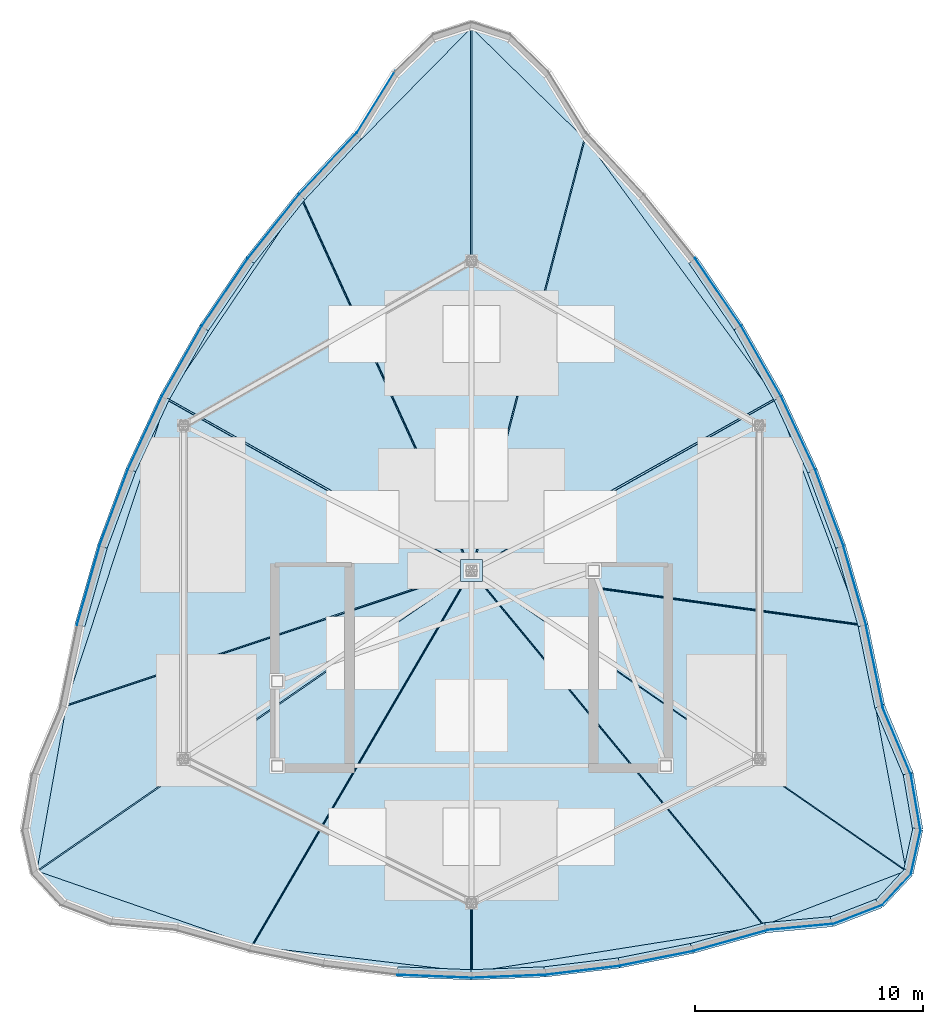
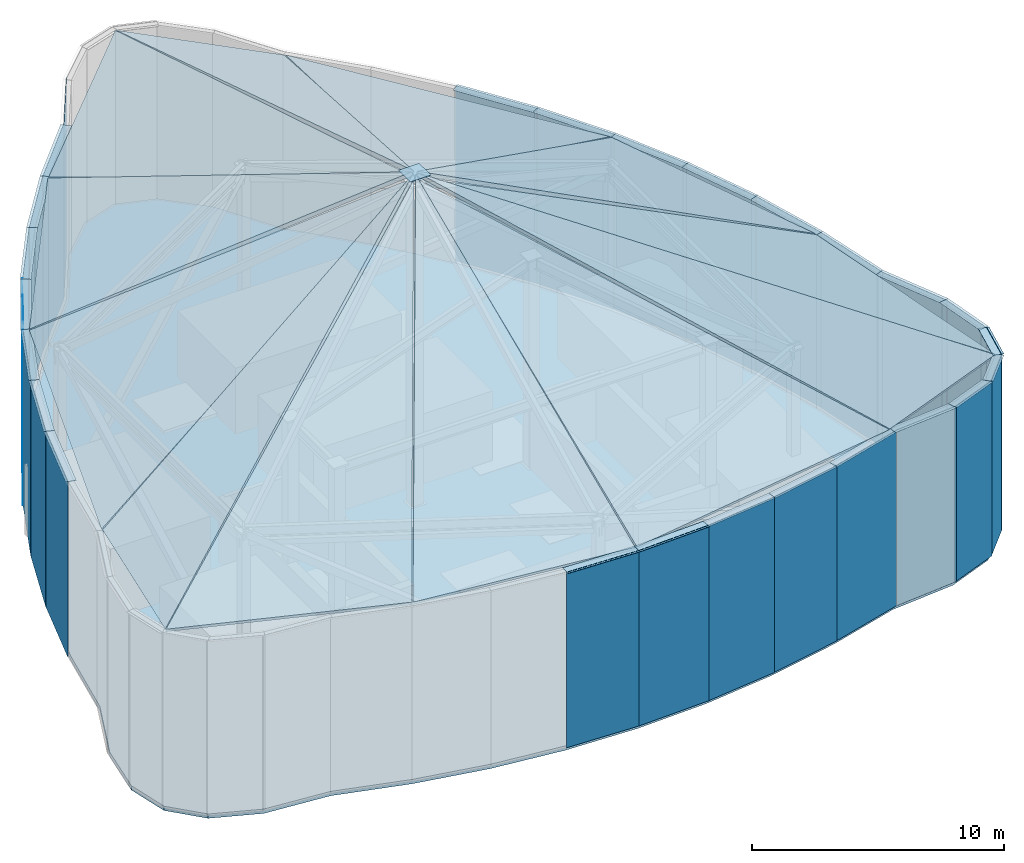
# One storey, part 2 of 6: 50 plates, 13 slabs.
"""IFC4 building model written with IfcOpenShell, lengths in metres."""

from ifc_helpers import new_model, si_unit, direction, frame, origin, origin_2d, place, context, subcontext, project, spatial, polyline, rectangle, outline, extrude, material, layer, layer_set, type_object, element, save


model = new_model("IFC4")

# Units and contexts
model_context = context("Model", 3, precision=1e-05, world=origin(), true_north=direction((0.0, 1.0)))
body_context = subcontext(model_context, "Body", "Model", "MODEL_VIEW")
ifc_project = project(units=[si_unit("LENGTHUNIT", "METRE"), si_unit("AREAUNIT", "SQUARE_METRE"), si_unit("VOLUMEUNIT", "CUBIC_METRE"), si_unit("PLANEANGLEUNIT", "RADIAN"), si_unit("MASSUNIT", "GRAM", prefix="KILO")], contexts=[model_context])

# Site, building, storey
site_placement = place(None, origin())
site = spatial("IfcSite", under=ifc_project, at=site_placement, CompositionType="ELEMENT")
building_placement = place(site_placement, origin())
building = spatial("IfcBuilding", under=site, at=building_placement, Name="Miruveldt Soraemaru", CompositionType="ELEMENT")
storey_placement = place(building_placement, frame((0.0, 0.0, 318.0)))
storey = spatial("IfcBuildingStorey", under=building, at=storey_placement, Name="RF", CompositionType="ELEMENT", Elevation=318.0)

# Plates
ifc_material_1 = material(Name="Anodised aluminium EN AW-6063 T6", Category="aluminium")
ifc_layer_1 = layer(ifc_material_1, 0.01611328125, Name="Anodised aluminium EN AW-6063 T6", Category="aluminium")
ifc_layer_set_1 = layer_set([ifc_layer_1], Name="Anodised aluminium EN AW-6063 T6")
plate_type_1 = type_object("IfcPlateType", Name="PLT-SCREEN-16", PredefinedType="USERDEFINED", material=ifc_layer_set_1)
plate_1_placement = place(storey_placement, frame((39.81591796875, 64.558349609375, 0.0), z_axis=(0.0, 0.0, 1.0), x_axis=(-0.526095186954, -0.850425690031, 0.0)))
element("IfcPlate", 1, at=plate_1_placement, inside=storey, type_object=plate_type_1, Name="RF Crown Perforated Metal SCREEN Panel 6", ObjectType="SCREEN", PredefinedType="USERDEFINED", context=body_context, shape_type="SweptSolid", body=[
    extrude(rectangle(XDim=3.21240234375, YDim=0.01611328125, at=origin_2d()), origin(), (0.0, 0.0, 1.0), 8.5),
])
plate_2_placement = place(storey_placement, frame((37.72509765625, 61.872802734375, 0.0), z_axis=(0.0, 0.0, 1.0), x_axis=(-0.680874277454, -0.732400312877, 0.0)))
element("IfcPlate", 2, at=plate_2_placement, inside=storey, type_object=plate_type_1, Name="RF Crown Perforated Metal SCREEN Panel 7", ObjectType="SCREEN", PredefinedType="USERDEFINED", context=body_context, shape_type="SweptSolid", body=[
    extrude(rectangle(XDim=3.69921875, YDim=0.01611328125, at=origin_2d()), origin(), (0.0, 0.0, 1.0), 8.5),
])
plate_3_placement = place(storey_placement, frame((35.3447265625, 59.126708984375, 0.0), z_axis=(0.0, 0.0, 1.0), x_axis=(-0.623606756598, -0.781738199863, 0.0)))
element("IfcPlate", 3, at=plate_3_placement, inside=storey, type_object=plate_type_1, Name="RF Crown Perforated Metal SCREEN Panel 8", ObjectType="SCREEN", PredefinedType="USERDEFINED", context=body_context, shape_type="SweptSolid", body=[
    extrude(rectangle(XDim=3.6337890625, YDim=0.01611328125, at=origin_2d()), origin(), (0.0, 0.0, 1.0), 8.5),
])
plate_4_placement = place(storey_placement, frame((33.214111328125, 56.246826171875, 0.0), z_axis=(0.0, 0.0, 1.0), x_axis=(-0.560855761037, -0.827913531301, 0.0)))
element("IfcPlate", 4, at=plate_4_placement, inside=storey, type_object=plate_type_1, Name="RF Crown Perforated Metal SCREEN Panel 9", ObjectType="SCREEN", PredefinedType="USERDEFINED", context=body_context, shape_type="SweptSolid", body=[
    extrude(rectangle(XDim=3.58935546875, YDim=0.01611328125, at=origin_2d()), origin(), (0.0, 0.0, 1.0), 8.5),
])
for number, where, z_axis, x_axis, name in (
    (5, (31.3349609375, 53.23291015625, 0.0), (0.0, 0.0, 1.0), (-0.493365087117, -0.869822332902, 0.0), "RF Crown Perforated Metal SCREEN Panel 10"),
    (6, (29.709716796875, 50.0849609375, 0.0), (0.0, 0.0, 1.0), (-0.422301874901, -0.906455253421, 0.0), "RF Crown Perforated Metal SCREEN Panel 11"),
):
    element("IfcPlate", number, at=place(storey_placement, frame(where, z_axis=z_axis, x_axis=x_axis)), inside=storey, type_object=plate_type_1, Name=name, ObjectType="SCREEN", PredefinedType="USERDEFINED", context=body_context, shape_type="SweptSolid", body=[
        extrude(rectangle(XDim=3.56689453125, YDim=0.01611328125, at=origin_2d()), origin(), (0.0, 0.0, 1.0), 8.5),
    ])
plate_5_placement = place(storey_placement, frame((28.33984375, 46.805419921875, 0.0), z_axis=(0.0, 0.0, 1.0), x_axis=(-0.349030048069, -0.93711153314, 0.0)))
element("IfcPlate", 7, at=plate_5_placement, inside=storey, type_object=plate_type_1, Name="RF Crown Perforated Metal SCREEN Panel 12", ObjectType="SCREEN", PredefinedType="USERDEFINED", context=body_context, shape_type="SweptSolid", body=[
    extrude(rectangle(XDim=3.58935546875, YDim=0.01611328125, at=origin_2d()), origin(), (0.0, 0.0, 1.0), 8.5),
])
plate_6_placement = place(storey_placement, frame((27.226318359375, 43.396728515625, 0.0), z_axis=(0.0, 0.0, 1.0), x_axis=(-0.274966201438, -0.961453892845, 0.0)))
element("IfcPlate", 8, at=plate_6_placement, inside=storey, type_object=plate_type_1, Name="RF Crown Perforated Metal SCREEN Panel 13", ObjectType="SCREEN", PredefinedType="USERDEFINED", context=body_context, shape_type="SweptSolid", body=[
    extrude(rectangle(XDim=3.633544921875, YDim=0.01611328125, at=origin_2d()), origin(), (0.0, 0.0, 1.0), 8.5),
])
for number, where, z_axis, x_axis, name in (
    (9, (42.37744140625, 26.2900390625, 0.0), (0.0, 0.0, 1.0), (0.999201384215, -0.039957399602, 0.0), "RF Crown Perforated Metal SCREEN Panel 24"),
    (10, (45.62255859375, 26.2900390625, 0.0), (0.0, 0.0, 1.0), (0.999201384215, 0.039957399602, 0.0), "RF Crown Perforated Metal SCREEN Panel 25"),
):
    element("IfcPlate", number, at=place(storey_placement, frame(where, z_axis=z_axis, x_axis=x_axis)), inside=storey, type_object=plate_type_1, Name=name, ObjectType="SCREEN", PredefinedType="USERDEFINED", context=body_context, shape_type="SweptSolid", body=[
        extrude(rectangle(XDim=3.27294921875, YDim=0.01611328125, at=origin_2d()), origin(), (0.0, 0.0, 1.0), 8.5),
    ])
plate_7_placement = place(storey_placement, frame((48.866943359375, 26.55224609375, 0.0), z_axis=(0.0, 0.0, 1.0), x_axis=(0.9928742876, 0.119166476087, 0.0)))
element("IfcPlate", 11, at=plate_7_placement, inside=storey, type_object=plate_type_1, Name="RF Crown Perforated Metal SCREEN Panel 26", ObjectType="SCREEN", PredefinedType="USERDEFINED", context=body_context, shape_type="SweptSolid", body=[
    extrude(rectangle(XDim=3.293212890625, YDim=0.01611328125, at=origin_2d()), origin(), (0.0, 0.0, 1.0), 8.5),
])
plate_8_placement = place(storey_placement, frame((52.109130859375, 27.076171875, 0.0), z_axis=(0.0, 0.0, 1.0), x_axis=(0.980583867301, 0.196100176415, 0.0)))
element("IfcPlate", 12, at=plate_8_placement, inside=storey, type_object=plate_type_1, Name="RF Crown Perforated Metal SCREEN Panel 27", ObjectType="SCREEN", PredefinedType="USERDEFINED", context=body_context, shape_type="SweptSolid", body=[
    extrude(rectangle(XDim=3.333984375, YDim=0.01611328125, at=origin_2d()), origin(), (0.0, 0.0, 1.0), 8.5),
])
plate_9_placement = place(storey_placement, frame((55.348388671875, 27.860595703125, 0.0), z_axis=(0.0, 0.0, 1.0), x_axis=(0.962960473511, 0.26964259021, 0.0)))
element("IfcPlate", 13, at=plate_9_placement, inside=storey, type_object=plate_type_1, Name="RF Crown Perforated Metal SCREEN Panel 28", ObjectType="SCREEN", PredefinedType="USERDEFINED", context=body_context, shape_type="SweptSolid", body=[
    extrude(rectangle(XDim=3.394287109375, YDim=0.01611328125, at=origin_2d()), origin(), (0.0, 0.0, 1.0), 8.5),
])
plate_10_placement = place(storey_placement, frame((58.427734375, 28.45751953125, 0.0), z_axis=(0.0, 0.0, 1.0), x_axis=(0.995761697887, 0.091970870503, 0.0)))
element("IfcPlate", 14, at=plate_10_placement, inside=storey, type_object=plate_type_1, Name="RF Crown Perforated Metal SCREEN Panel 29", ObjectType="SCREEN", PredefinedType="USERDEFINED", context=body_context, shape_type="SweptSolid", body=[
    extrude(rectangle(XDim=2.973876953125, YDim=0.01611328125, at=origin_2d()), origin(), (0.0, 0.0, 1.0), 8.5),
])
plate_11_placement = place(storey_placement, frame((60.931884765625, 29.0048828125, 0.0), z_axis=(0.0, 0.0, 1.0), x_axis=(0.932279613482, 0.361738472223, 0.0)))
element("IfcPlate", 15, at=plate_11_placement, inside=storey, type_object=plate_type_1, Name="RF Crown Perforated Metal SCREEN Panel 30", ObjectType="SCREEN", PredefinedType="USERDEFINED", context=body_context, shape_type="SweptSolid", body=[
    extrude(rectangle(XDim=2.28076171875, YDim=0.01611328125, at=origin_2d()), origin(), (0.0, 0.0, 1.0), 8.5),
])
plate_12_placement = place(storey_placement, frame((62.602294921875, 30.08935546875, 0.0), z_axis=(0.0, 0.0, 1.0), x_axis=(0.68017091003, 0.733053567721, 0.0)))
element("IfcPlate", 16, at=plate_12_placement, inside=storey, type_object=plate_type_1, Name="RF Crown Perforated Metal SCREEN Panel 31", ObjectType="SCREEN", PredefinedType="USERDEFINED", context=body_context, shape_type="SweptSolid", body=[
    extrude(rectangle(XDim=1.884521484375, YDim=0.01611328125, at=origin_2d()), origin(), (0.0, 0.0, 1.0), 8.5),
])
plate_13_placement = place(storey_placement, frame((63.439697265625, 31.711669921875, 0.0), z_axis=(0.0, 0.0, 1.0), x_axis=(0.215723893499, 0.976454403325, 0.0)))
element("IfcPlate", 17, at=plate_13_placement, inside=storey, type_object=plate_type_1, Name="RF Crown Perforated Metal SCREEN Panel 32", ObjectType="SCREEN", PredefinedType="USERDEFINED", context=body_context, shape_type="SweptSolid", body=[
    extrude(rectangle(XDim=1.97802734375, YDim=0.01611328125, at=origin_2d()), origin(), (0.0, 0.0, 1.0), 8.5),
])
plate_14_placement = place(storey_placement, frame((63.445068359375, 33.873046875, 0.0), z_axis=(0.0, 0.0, 1.0), x_axis=(-0.169349503849, 0.985556059058, 0.0)))
element("IfcPlate", 18, at=plate_14_placement, inside=storey, type_object=plate_type_1, Name="RF Crown Perforated Metal SCREEN Panel 33", ObjectType="SCREEN", PredefinedType="USERDEFINED", context=body_context, shape_type="SweptSolid", body=[
    extrude(rectangle(XDim=2.506103515625, YDim=0.01611328125, at=origin_2d()), origin(), (0.0, 0.0, 1.0), 8.5),
])
plate_15_placement = place(storey_placement, frame((62.618408203125, 36.5751953125, 0.0), z_axis=(0.0, 0.0, 1.0), x_axis=(-0.388593320922, 0.921409372068, 0.0)))
element("IfcPlate", 19, at=plate_15_placement, inside=storey, type_object=plate_type_1, Name="RF Crown Perforated Metal SCREEN Panel 34", ObjectType="SCREEN", PredefinedType="USERDEFINED", context=body_context, shape_type="SweptSolid", body=[
    extrude(rectangle(XDim=3.2607421875, YDim=0.01611328125, at=origin_2d()), origin(), (0.0, 0.0, 1.0), 8.5),
])
plate_16_placement = place(storey_placement, frame((61.632080078125, 39.861083984375, 0.0), z_axis=(0.0, 0.0, 1.0), x_axis=(-0.201573702956, 0.979473349447, 0.0)))
element("IfcPlate", 20, at=plate_16_placement, inside=storey, type_object=plate_type_1, Name="RF Crown Perforated Metal SCREEN Panel 35", ObjectType="SCREEN", PredefinedType="USERDEFINED", context=body_context, shape_type="SweptSolid", body=[
    extrude(rectangle(XDim=3.69921875, YDim=0.01611328125, at=origin_2d()), origin(), (0.0, 0.0, 1.0), 8.5),
])
plate_17_placement = place(storey_placement, frame((60.773681640625, 43.396728515625, 0.0), z_axis=(0.0, 0.0, 1.0), x_axis=(-0.274966201438, 0.961453892845, 0.0)))
element("IfcPlate", 21, at=plate_17_placement, inside=storey, type_object=plate_type_1, Name="RF Crown Perforated Metal SCREEN Panel 36", ObjectType="SCREEN", PredefinedType="USERDEFINED", context=body_context, shape_type="SweptSolid", body=[
    extrude(rectangle(XDim=3.633544921875, YDim=0.01611328125, at=origin_2d()), origin(), (0.0, 0.0, 1.0), 8.5),
])
plate_18_placement = place(storey_placement, frame((59.66015625, 46.805419921875, 0.0), z_axis=(0.0, 0.0, 1.0), x_axis=(-0.349030048069, 0.93711153314, 0.0)))
element("IfcPlate", 22, at=plate_18_placement, inside=storey, type_object=plate_type_1, Name="RF Crown Perforated Metal SCREEN Panel 37", ObjectType="SCREEN", PredefinedType="USERDEFINED", context=body_context, shape_type="SweptSolid", body=[
    extrude(rectangle(XDim=3.58935546875, YDim=0.01611328125, at=origin_2d()), origin(), (0.0, 0.0, 1.0), 8.5),
])
for number, where, z_axis, x_axis, name in (
    (23, (58.290283203125, 50.0849609375, 0.0), (0.0, 0.0, 1.0), (-0.422301874901, 0.906455253421, 0.0), "RF Crown Perforated Metal SCREEN Panel 38"),
    (24, (56.6650390625, 53.23291015625, 0.0), (0.0, 0.0, 1.0), (-0.493365087117, 0.869822332902, 0.0), "RF Crown Perforated Metal SCREEN Panel 39"),
):
    element("IfcPlate", number, at=place(storey_placement, frame(where, z_axis=z_axis, x_axis=x_axis)), inside=storey, type_object=plate_type_1, Name=name, ObjectType="SCREEN", PredefinedType="USERDEFINED", context=body_context, shape_type="SweptSolid", body=[
        extrude(rectangle(XDim=3.56689453125, YDim=0.01611328125, at=origin_2d()), origin(), (0.0, 0.0, 1.0), 8.5),
    ])
plate_19_placement = place(storey_placement, frame((54.785888671875, 56.246826171875, 0.0), z_axis=(0.0, 0.0, 1.0), x_axis=(-0.560855761037, 0.827913531301, 0.0)))
element("IfcPlate", 25, at=plate_19_placement, inside=storey, type_object=plate_type_1, Name="RF Crown Perforated Metal SCREEN Panel 40", ObjectType="SCREEN", PredefinedType="USERDEFINED", context=body_context, shape_type="SweptSolid", body=[
    extrude(rectangle(XDim=3.58935546875, YDim=0.01611328125, at=origin_2d()), origin(), (0.0, 0.0, 1.0), 8.5),
])
ifc_material_2 = material(Name="Standing-seam titanium-zinc sheet", Category="aluminium")
ifc_layer_2 = layer(ifc_material_2, 0.011962890625, Name="Standing-seam titanium-zinc sheet", Category="aluminium")
ifc_layer_set_2 = layer_set([ifc_layer_2], Name="Standing-seam titanium-zinc sheet")
plate_type_2 = type_object("IfcPlateType", Name="PLT-ZINC-12", PredefinedType="SHEET", material=ifc_layer_set_2)
plate_20_placement = place(storey_placement, frame((37.7666015625, 61.749755859375, 8.48779296875), z_axis=(0.0, 0.0, 1.0), x_axis=(-0.680874277454, -0.732400312877, 0.0)))
element("IfcPlate", 26, at=plate_20_placement, inside=storey, type_object=plate_type_2, Name="RF Crown Perimeter Eaves Zinc Flashing Sheet 7", PredefinedType="SHEET", context=body_context, shape_type="SweptSolid", body=[
    extrude(rectangle(XDim=3.689208984375, YDim=0.449951171875, at=origin_2d()), origin(), (0.0, 0.0, 1.0), 0.011962890625),
])
plate_21_placement = place(storey_placement, frame((35.406982421875, 59.0126953125, 8.48779296875), z_axis=(0.0, 0.0, 1.0), x_axis=(-0.623606756598, -0.781738199863, 0.0)))
element("IfcPlate", 27, at=plate_21_placement, inside=storey, type_object=plate_type_2, Name="RF Crown Perimeter Eaves Zinc Flashing Sheet 8", PredefinedType="SHEET", context=body_context, shape_type="SweptSolid", body=[
    extrude(rectangle(XDim=3.623779296875, YDim=0.449951171875, at=origin_2d()), origin(), (0.0, 0.0, 1.0), 0.011962890625),
])
plate_22_placement = place(storey_placement, frame((33.297119140625, 56.146728515625, 8.48779296875), z_axis=(0.0, 0.0, 1.0), x_axis=(-0.560855761037, -0.827913531301, 0.0)))
element("IfcPlate", 28, at=plate_22_placement, inside=storey, type_object=plate_type_2, Name="RF Crown Perimeter Eaves Zinc Flashing Sheet 9", PredefinedType="SHEET", context=body_context, shape_type="SweptSolid", body=[
    extrude(rectangle(XDim=3.579345703125, YDim=0.449951171875, at=origin_2d()), origin(), (0.0, 0.0, 1.0), 0.011962890625),
])
for number, where, z_axis, x_axis, name in (
    (29, (31.43701171875, 53.152099609375, 8.48779296875), (0.0, 0.0, 1.0), (-0.493365087117, -0.869822332902, 0.0), "RF Crown Perimeter Eaves Zinc Flashing Sheet 10"),
    (30, (29.826904296875, 50.028564453125, 8.48779296875), (0.0, 0.0, 1.0), (-0.422301874901, -0.906455253421, 0.0), "RF Crown Perimeter Eaves Zinc Flashing Sheet 11"),
):
    element("IfcPlate", number, at=place(storey_placement, frame(where, z_axis=z_axis, x_axis=x_axis)), inside=storey, type_object=plate_type_2, Name=name, PredefinedType="SHEET", context=body_context, shape_type="SweptSolid", body=[
        extrude(rectangle(XDim=3.556884765625, YDim=0.449951171875, at=origin_2d()), origin(), (0.0, 0.0, 1.0), 0.011962890625),
    ])
plate_23_placement = place(storey_placement, frame((28.466552734375, 46.7763671875, 8.48779296875), z_axis=(0.0, 0.0, 1.0), x_axis=(-0.349030048069, -0.93711153314, 0.0)))
element("IfcPlate", 31, at=plate_23_placement, inside=storey, type_object=plate_type_2, Name="RF Crown Perimeter Eaves Zinc Flashing Sheet 12", PredefinedType="SHEET", context=body_context, shape_type="SweptSolid", body=[
    extrude(rectangle(XDim=3.579345703125, YDim=0.449951171875, at=origin_2d()), origin(), (0.0, 0.0, 1.0), 0.011962890625),
])
plate_24_placement = place(storey_placement, frame((27.356201171875, 43.395263671875, 8.48779296875), z_axis=(0.0, 0.0, 1.0), x_axis=(-0.274966201438, -0.961453892845, 0.0)))
element("IfcPlate", 32, at=plate_24_placement, inside=storey, type_object=plate_type_2, Name="RF Crown Perimeter Eaves Zinc Flashing Sheet 13", PredefinedType="SHEET", context=body_context, shape_type="SweptSolid", body=[
    extrude(rectangle(XDim=3.62353515625, YDim=0.449951171875, at=origin_2d()), origin(), (0.0, 0.0, 1.0), 0.011962890625),
])
for number, where, z_axis, x_axis, name in (
    (33, (42.389892578125, 26.41943359375, 8.48779296875), (0.0, 0.0, 1.0), (0.999201384215, -0.039957399602, 0.0), "RF Crown Perimeter Eaves Zinc Flashing Sheet 24"),
    (34, (45.610107421875, 26.41943359375, 8.48779296875), (0.0, 0.0, 1.0), (0.999201384215, 0.039957399602, 0.0), "RF Crown Perimeter Eaves Zinc Flashing Sheet 25"),
):
    element("IfcPlate", number, at=place(storey_placement, frame(where, z_axis=z_axis, x_axis=x_axis)), inside=storey, type_object=plate_type_2, Name=name, PredefinedType="SHEET", context=body_context, shape_type="SweptSolid", body=[
        extrude(rectangle(XDim=3.262939453125, YDim=0.449951171875, at=origin_2d()), origin(), (0.0, 0.0, 1.0), 0.011962890625),
    ])
plate_25_placement = place(storey_placement, frame((48.830322265625, 26.677001953125, 8.48779296875), z_axis=(0.0, 0.0, 1.0), x_axis=(0.9928742876, 0.119166476087, 0.0)))
element("IfcPlate", 35, at=plate_25_placement, inside=storey, type_object=plate_type_2, Name="RF Crown Perimeter Eaves Zinc Flashing Sheet 26", PredefinedType="SHEET", context=body_context, shape_type="SweptSolid", body=[
    extrude(rectangle(XDim=3.283203125, YDim=0.449951171875, at=origin_2d()), origin(), (0.0, 0.0, 1.0), 0.011962890625),
])
plate_26_placement = place(storey_placement, frame((52.05078125, 27.1923828125, 8.48779296875), z_axis=(0.0, 0.0, 1.0), x_axis=(0.980583867301, 0.196100176415, 0.0)))
element("IfcPlate", 36, at=plate_26_placement, inside=storey, type_object=plate_type_2, Name="RF Crown Perimeter Eaves Zinc Flashing Sheet 27", PredefinedType="SHEET", context=body_context, shape_type="SweptSolid", body=[
    extrude(rectangle(XDim=3.32421875, YDim=0.449951171875, at=origin_2d()), origin(), (0.0, 0.0, 1.0), 0.011962890625),
])
plate_27_placement = place(storey_placement, frame((55.27099609375, 27.965087890625, 8.48779296875), z_axis=(0.0, 0.0, 1.0), x_axis=(0.962960473511, 0.26964259021, 0.0)))
element("IfcPlate", 37, at=plate_27_placement, inside=storey, type_object=plate_type_2, Name="RF Crown Perimeter Eaves Zinc Flashing Sheet 28", PredefinedType="SHEET", context=body_context, shape_type="SweptSolid", body=[
    extrude(rectangle(XDim=3.38427734375, YDim=0.449951171875, at=origin_2d()), origin(), (0.0, 0.0, 1.0), 0.011962890625),
])
plate_28_placement = place(storey_placement, frame((58.3369140625, 28.55029296875, 8.48779296875), z_axis=(0.0, 0.0, 1.0), x_axis=(0.995761697887, 0.091970870503, 0.0)))
element("IfcPlate", 38, at=plate_28_placement, inside=storey, type_object=plate_type_2, Name="RF Crown Perimeter Eaves Zinc Flashing Sheet 29", PredefinedType="SHEET", context=body_context, shape_type="SweptSolid", body=[
    extrude(rectangle(XDim=2.9638671875, YDim=0.449951171875, at=origin_2d()), origin(), (0.0, 0.0, 1.0), 0.011962890625),
])
plate_29_placement = place(storey_placement, frame((60.832275390625, 29.08837890625, 8.48779296875), z_axis=(0.0, 0.0, 1.0), x_axis=(0.932279613482, 0.361738472223, 0.0)))
element("IfcPlate", 39, at=plate_29_placement, inside=storey, type_object=plate_type_2, Name="RF Crown Perimeter Eaves Zinc Flashing Sheet 30", PredefinedType="SHEET", context=body_context, shape_type="SweptSolid", body=[
    extrude(rectangle(XDim=2.270751953125, YDim=0.449951171875, at=origin_2d()), origin(), (0.0, 0.0, 1.0), 0.011962890625),
])
plate_30_placement = place(storey_placement, frame((62.49609375, 30.1640625, 8.48779296875), z_axis=(0.0, 0.0, 1.0), x_axis=(0.68017091003, 0.733053567721, 0.0)))
element("IfcPlate", 40, at=plate_30_placement, inside=storey, type_object=plate_type_2, Name="RF Crown Perimeter Eaves Zinc Flashing Sheet 31", PredefinedType="SHEET", context=body_context, shape_type="SweptSolid", body=[
    extrude(rectangle(XDim=1.87451171875, YDim=0.449951171875, at=origin_2d()), origin(), (0.0, 0.0, 1.0), 0.011962890625),
])
plate_31_placement = place(storey_placement, frame((63.32763671875, 31.77783203125, 8.48779296875), z_axis=(0.0, 0.0, 1.0), x_axis=(0.215723893499, 0.976454403325, 0.0)))
element("IfcPlate", 41, at=plate_31_placement, inside=storey, type_object=plate_type_2, Name="RF Crown Perimeter Eaves Zinc Flashing Sheet 32", PredefinedType="SHEET", context=body_context, shape_type="SweptSolid", body=[
    extrude(rectangle(XDim=1.968017578125, YDim=0.449951171875, at=origin_2d()), origin(), (0.0, 0.0, 1.0), 0.011962890625),
])
plate_32_placement = place(storey_placement, frame((63.32763671875, 33.92919921875, 8.48779296875), z_axis=(0.0, 0.0, 1.0), x_axis=(-0.169349503849, 0.985556059058, 0.0)))
element("IfcPlate", 42, at=plate_32_placement, inside=storey, type_object=plate_type_2, Name="RF Crown Perimeter Eaves Zinc Flashing Sheet 33", PredefinedType="SHEET", context=body_context, shape_type="SweptSolid", body=[
    extrude(rectangle(XDim=2.49609375, YDim=0.449951171875, at=origin_2d()), origin(), (0.0, 0.0, 1.0), 0.011962890625),
])
plate_33_placement = place(storey_placement, frame((62.49609375, 36.618896484375, 8.48779296875), z_axis=(0.0, 0.0, 1.0), x_axis=(-0.388593320922, 0.921409372068, 0.0)))
element("IfcPlate", 43, at=plate_33_placement, inside=storey, type_object=plate_type_2, Name="RF Crown Perimeter Eaves Zinc Flashing Sheet 34", PredefinedType="SHEET", context=body_context, shape_type="SweptSolid", body=[
    extrude(rectangle(XDim=3.250732421875, YDim=0.449951171875, at=origin_2d()), origin(), (0.0, 0.0, 1.0), 0.011962890625),
])
plate_34_placement = place(storey_placement, frame((61.50439453125, 39.88525390625, 8.48779296875), z_axis=(0.0, 0.0, 1.0), x_axis=(-0.201573702956, 0.979473349447, 0.0)))
element("IfcPlate", 44, at=plate_34_placement, inside=storey, type_object=plate_type_2, Name="RF Crown Perimeter Eaves Zinc Flashing Sheet 35", PredefinedType="SHEET", context=body_context, shape_type="SweptSolid", body=[
    extrude(rectangle(XDim=3.689208984375, YDim=0.449951171875, at=origin_2d()), origin(), (0.0, 0.0, 1.0), 0.011962890625),
])
plate_35_placement = place(storey_placement, frame((60.643798828125, 43.395263671875, 8.48779296875), z_axis=(0.0, 0.0, 1.0), x_axis=(-0.274966201438, 0.961453892845, 0.0)))
element("IfcPlate", 45, at=plate_35_placement, inside=storey, type_object=plate_type_2, Name="RF Crown Perimeter Eaves Zinc Flashing Sheet 36", PredefinedType="SHEET", context=body_context, shape_type="SweptSolid", body=[
    extrude(rectangle(XDim=3.62353515625, YDim=0.449951171875, at=origin_2d()), origin(), (0.0, 0.0, 1.0), 0.011962890625),
])
plate_36_placement = place(storey_placement, frame((59.533447265625, 46.7763671875, 8.48779296875), z_axis=(0.0, 0.0, 1.0), x_axis=(-0.349030048069, 0.93711153314, 0.0)))
element("IfcPlate", 46, at=plate_36_placement, inside=storey, type_object=plate_type_2, Name="RF Crown Perimeter Eaves Zinc Flashing Sheet 37", PredefinedType="SHEET", context=body_context, shape_type="SweptSolid", body=[
    extrude(rectangle(XDim=3.579345703125, YDim=0.449951171875, at=origin_2d()), origin(), (0.0, 0.0, 1.0), 0.011962890625),
])
for number, where, z_axis, x_axis, name in (
    (47, (58.173095703125, 50.028564453125, 8.48779296875), (0.0, 0.0, 1.0), (-0.422301874901, 0.906455253421, 0.0), "RF Crown Perimeter Eaves Zinc Flashing Sheet 38"),
    (48, (56.56298828125, 53.152099609375, 8.48779296875), (0.0, 0.0, 1.0), (-0.493365087117, 0.869822332902, 0.0), "RF Crown Perimeter Eaves Zinc Flashing Sheet 39"),
):
    element("IfcPlate", number, at=place(storey_placement, frame(where, z_axis=z_axis, x_axis=x_axis)), inside=storey, type_object=plate_type_2, Name=name, PredefinedType="SHEET", context=body_context, shape_type="SweptSolid", body=[
        extrude(rectangle(XDim=3.556884765625, YDim=0.449951171875, at=origin_2d()), origin(), (0.0, 0.0, 1.0), 0.011962890625),
    ])
plate_37_placement = place(storey_placement, frame((54.702880859375, 56.146728515625, 8.48779296875), z_axis=(0.0, 0.0, 1.0), x_axis=(-0.560855761037, 0.827913531301, 0.0)))
element("IfcPlate", 49, at=plate_37_placement, inside=storey, type_object=plate_type_2, Name="RF Crown Perimeter Eaves Zinc Flashing Sheet 40", PredefinedType="SHEET", context=body_context, shape_type="SweptSolid", body=[
    extrude(rectangle(XDim=3.579345703125, YDim=0.449951171875, at=origin_2d()), origin(), (0.0, 0.0, 1.0), 0.011962890625),
])
plate_38_placement = place(storey_placement, frame((44.0, 44.050048828125, 15.98779296875), z_axis=(0.0, 0.0, 1.0), x_axis=(1.0, 0.0, 0.0)))
element("IfcPlate", 50, at=plate_38_placement, inside=storey, type_object=plate_type_2, Name="RF Crown Peak Zinc Weathering Flashing Sheet", PredefinedType="SHEET", context=body_context, shape_type="SweptSolid", body=[
    extrude(rectangle(XDim=0.949951171875, YDim=0.949951171875, at=origin_2d()), origin(), (0.0, 0.0, 1.0), 0.011962890625),
])

# Slabs
ifc_material_3 = material(Name="Concrete C40/50 (40 MPa)", Category="concrete")
ifc_layer_3 = layer(ifc_material_3, 0.18994140625, Name="Concrete C40/50 (40 MPa)", Category="concrete")
ifc_layer_set_3 = layer_set([ifc_layer_3], Name="Concrete C40/50 (40 MPa)")
slab_type_1 = type_object("IfcSlabType", Name="SLAB-GABL-190", PredefinedType="ROOF", material=ifc_layer_set_3)
slab_1_placement = place(storey_placement, frame((48.93310546875, 62.966552734375, 8.5), z_axis=(0.284789583996, 0.2903211571, 0.913569109913), x_axis=(-0.713874908514, 0.700273243094, 0.0)))
element("IfcSlab", 51, at=slab_1_placement, inside=storey, type_object=slab_type_1, Name="RF Gable Facet Roof Slab 1", PredefinedType="ROOF", context=body_context, shape_type="SweptSolid", body=[
    extrude(outline(polyline([(0.0, 0.0), (6.892578125, 0.0), (-9.63916015625, 18.44189453125), (0.0, 0.0)])), origin(), (0.0, 0.0, -1.0), 0.18994140625),
])
slab_2_placement = place(storey_placement, frame((43.982666015625, 67.7939453125, 8.5), z_axis=(-0.285427005767, 0.281464295801, 0.916138239879), x_axis=(-0.702146775967, -0.712032235927, 0.0)))
element("IfcSlab", 52, at=slab_2_placement, inside=storey, type_object=slab_type_1, Name="RF Gable Facet Roof Slab 2", PredefinedType="ROOF", context=body_context, shape_type="SweptSolid", body=[
    extrude(outline(polyline([(0.0, 0.0), (10.49609375, 0.0), (16.814453125, 18.0859375), (0.0, 0.0)])), origin(), (0.0, 0.0, -1.0), 0.18994140625),
])
slab_3_placement = place(storey_placement, frame((36.552734375, 60.283447265625, 8.5), z_axis=(-0.368551517891, 0.248486949046, 0.895781231559), x_axis=(-0.55903179058, -0.829146221797, 0.0)))
element("IfcSlab", 53, at=slab_3_placement, inside=storey, type_object=slab_type_1, Name="RF Gable Facet Roof Slab 3", PredefinedType="ROOF", context=body_context, shape_type="SweptSolid", body=[
    extrude(outline(polyline([(0.0, 0.0), (10.478271484375, 0.0), (9.260498046875, 16.873046875), (0.0, 0.0)])), origin(), (0.0, 0.0, -1.0), 0.18994140625),
])
slab_4_placement = place(storey_placement, frame((30.649658203125, 51.521484375, 8.5), z_axis=(-0.415857222262, 0.137215477738, 0.899018733599), x_axis=(-0.313341610367, -0.949640476819, 0.0)))
element("IfcSlab", 54, at=slab_4_placement, inside=storey, type_object=slab_type_1, Name="RF Gable Facet Roof Slab 4", PredefinedType="ROOF", context=body_context, shape_type="SweptSolid", body=[
    extrude(outline(polyline([(0.0, 0.0), (14.06591796875, 0.0), (2.948974609375, 16.555908203125), (0.0, 0.0)])), origin(), (0.0, 0.0, -1.0), 0.18994140625),
])
slab_5_placement = place(storey_placement, frame((26.260498046875, 38.108642578125, 8.5), z_axis=(-0.411233059421, 0.073081709999, 0.908595858731), x_axis=(-0.174972088474, -0.984573394042, 0.0)))
element("IfcSlab", 55, at=slab_5_placement, inside=storey, type_object=slab_type_1, Name="RF Gable Facet Roof Slab 5", PredefinedType="ROOF", context=body_context, shape_type="SweptSolid", body=[
    extrude(outline(polyline([(0.0, 0.0), (7.298828125, 0.0), (-8.868408203125, 17.95654296875), (0.0, 0.0)])), origin(), (0.0, 0.0, -1.0), 0.18994140625),
])
slab_6_placement = place(storey_placement, frame((25.00146484375, 30.893798828125, 8.5), z_axis=(-0.119497041961, -0.344152556913, 0.931278408712), x_axis=(0.94467398203, -0.328010773718, 0.0)))
element("IfcSlab", 56, at=slab_6_placement, inside=storey, type_object=slab_type_1, Name="RF Gable Facet Roof Slab 6", PredefinedType="ROOF", context=body_context, shape_type="SweptSolid", body=[
    extrude(outline(polyline([(0.0, 0.0), (9.918701171875, 0.0), (13.572998046875, 19.900634765625), (0.0, 0.0)])), origin(), (0.0, 0.0, -1.0), 0.18994140625),
])
slab_7_placement = place(storey_placement, frame((34.429443359375, 27.612060546875, 8.5), z_axis=(-0.046792123252, -0.394761798345, 0.91759120515), x_axis=(0.993048186485, -0.117708535455, 0.0)))
element("IfcSlab", 57, at=slab_7_placement, inside=storey, type_object=slab_type_1, Name="RF Gable Facet Roof Slab 7", PredefinedType="ROOF", context=body_context, shape_type="SweptSolid", body=[
    extrude(outline(polyline([(0.0, 0.0), (9.60302734375, 0.0), (7.547119140625, 18.86669921875), (0.0, 0.0)])), origin(), (0.0, 0.0, -1.0), 0.18994140625),
])
slab_8_placement = place(storey_placement, frame((44.041015625, 26.477783203125, 8.5), z_axis=(0.060726987435, -0.383152251678, 0.921686815047), x_axis=(0.987671753461, 0.156539156171, 0.0)))
element("IfcSlab", 58, at=slab_8_placement, inside=storey, type_object=slab_type_1, Name="RF Gable Facet Roof Slab 8", PredefinedType="ROOF", context=body_context, shape_type="SweptSolid", body=[
    extrude(outline(polyline([(0.0, 0.0), (12.893310546875, 0.0), (2.73974609375, 18.688720703125), (0.0, 0.0)])), origin(), (0.0, 0.0, -1.0), 0.18994140625),
])
slab_9_placement = place(storey_placement, frame((56.81591796875, 28.531494140625, 8.5), z_axis=(0.131540475639, -0.343701220103, 0.929820721735), x_axis=(0.933938206589, 0.357434506272, 0.0)))
element("IfcSlab", 59, at=slab_9_placement, inside=storey, type_object=slab_type_1, Name="RF Gable Facet Roof Slab 9", PredefinedType="ROOF", context=body_context, shape_type="SweptSolid", body=[
    extrude(outline(polyline([(0.0, 0.0), (6.6220703125, 0.0), (-6.35888671875, 20.379638671875), (0.0, 0.0)])), origin(), (0.0, 0.0, -1.0), 0.18994140625),
])
slab_10_placement = place(storey_placement, frame((63.02001953125, 30.925537109375, 8.5), z_axis=(0.402325862468, 0.075421776592, 0.91238448913), x_axis=(-0.184254733246, 0.982878524171, 0.0)))
element("IfcSlab", 60, at=slab_10_placement, inside=storey, type_object=slab_type_1, Name="RF Gable Facet Roof Slab 10", PredefinedType="ROOF", context=body_context, shape_type="SweptSolid", body=[
    extrude(outline(polyline([(0.0, 0.0), (10.90234375, 0.0), (16.326171875, 17.711669921875), (0.0, 0.0)])), origin(), (0.0, 0.0, -1.0), 0.18994140625),
])
slab_11_placement = place(storey_placement, frame((61.01220703125, 41.7158203125, 8.5), z_axis=(0.419342859864, 0.156838696679, 0.894177381231), x_axis=(-0.350310898768, 0.936633479118, 0.0)))
element("IfcSlab", 61, at=slab_11_placement, inside=storey, type_object=slab_type_1, Name="RF Gable Facet Roof Slab 11", PredefinedType="ROOF", context=body_context, shape_type="SweptSolid", body=[
    extrude(outline(polyline([(0.0, 0.0), (10.47265625, 0.0), (8.11962890625, 16.751708984375), (0.0, 0.0)])), origin(), (0.0, 0.0, -1.0), 0.18994140625),
])
slab_12_placement = place(storey_placement, frame((57.305908203125, 51.603759765625, 8.5), z_axis=(0.349723334762, 0.256402091264, 0.901083545915), x_axis=(-0.591271153897, 0.806472828166, 0.0)))
element("IfcSlab", 62, at=slab_12_placement, inside=storey, type_object=slab_type_1, Name="RF Gable Facet Roof Slab 12", PredefinedType="ROOF", context=body_context, shape_type="SweptSolid", body=[
    extrude(outline(polyline([(0.0, 0.0), (14.0732421875, 0.0), (1.8212890625, 16.71875), (0.0, 0.0)])), origin(), (0.0, 0.0, -1.0), 0.18994140625),
])
ifc_layer_4 = layer(ifc_material_3, 0.2099609375, Name="Concrete C40/50 (40 MPa)", Category="concrete")
ifc_layer_set_4 = layer_set([ifc_layer_4], Name="Concrete C40/50 (40 MPa)")
slab_type_2 = type_object("IfcSlabType", Name="SLAB-TERR-210", PredefinedType="ROOF", material=ifc_layer_set_4)
slab_13_placement = place(storey_placement, frame((0.0, 0.0, -0.2099609375)))
element("IfcSlab", 63, at=slab_13_placement, inside=storey, type_object=slab_type_2, Name="RF Crown Plant Top Structural Roof Deck", PredefinedType="ROOF", context=body_context, shape_type="SweptSolid", body=[
    extrude(outline(polyline([(48.990966796875, 63.0859375), (51.4755859375, 60.413330078125), (53.71044921875, 57.61181640625), (55.695556640625, 54.681640625), (57.4306640625, 51.62255859375), (58.915771484375, 48.4345703125), (60.151123046875, 45.117919921875), (61.136474609375, 41.67236328125), (61.8720703125, 38.097900390625), (63.119873046875, 35.1396484375), (63.53564453125, 32.718994140625), (63.119873046875, 30.83642578125), (61.8720703125, 29.49169921875), (59.79248046875, 28.684814453125), (56.881103515625, 28.416015625), (53.660888671875, 27.514404296875), (50.4404296875, 26.870361328125), (47.22021484375, 26.48388671875), (44.0, 26.35498046875), (40.77978515625, 26.48388671875), (37.5595703125, 26.870361328125), (34.339111328125, 27.514404296875), (31.118896484375, 28.416015625), (28.20751953125, 28.684814453125), (26.1279296875, 29.49169921875), (24.880126953125, 30.83642578125), (24.46435546875, 32.718994140625), (24.880126953125, 35.1396484375), (26.1279296875, 38.097900390625), (26.863525390625, 41.67236328125), (27.848876953125, 45.117919921875), (29.084228515625, 48.4345703125), (30.5693359375, 51.62255859375), (32.304443359375, 54.681640625), (34.28955078125, 57.61181640625), (36.5244140625, 60.413330078125), (39.009033203125, 63.0859375), (40.672607421875, 65.775390625), (42.336181640625, 67.38916015625), (44.0, 67.927001953125), (45.663818359375, 67.38916015625), (47.327392578125, 65.775390625), (48.990966796875, 63.0859375)])), origin(), (0.0, 0.0, 1.0), 0.2099609375),
])

save(model, "model.ifc")
